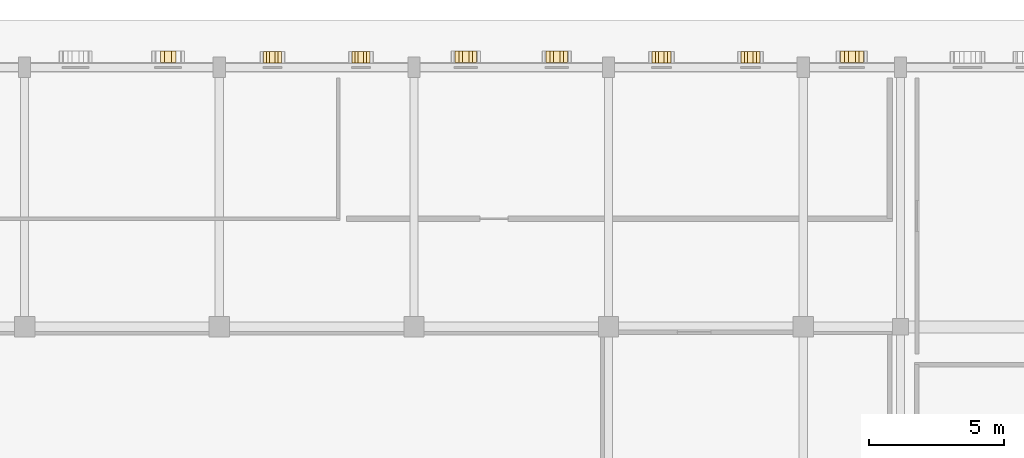
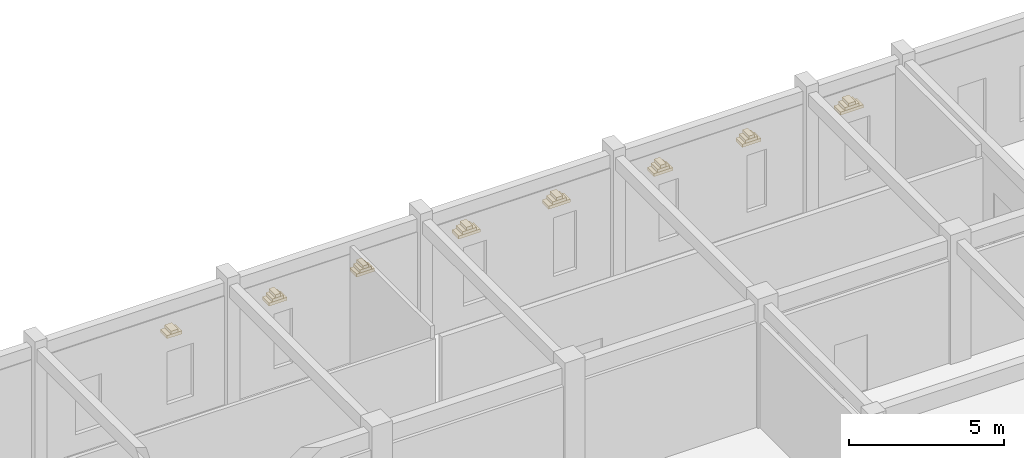
# One storey, part 69 of 72: 23 coverings.
"""IFC4 building model written with IfcOpenShell, lengths in metres."""

from ifc_helpers import new_model, si_unit, direction, frame, origin, origin_2d, place, context, subcontext, project, spatial, rectangle, extrude, material, layer, layer_set, type_object, element, save


model = new_model("IFC4")

# Units and contexts
model_context = context("Model", 3, precision=1e-05, world=origin(), true_north=direction((0.0, 1.0)))
body_context = subcontext(model_context, "Body", "Model", "MODEL_VIEW")
ifc_project = project(units=[si_unit("LENGTHUNIT", "METRE"), si_unit("AREAUNIT", "SQUARE_METRE"), si_unit("VOLUMEUNIT", "CUBIC_METRE"), si_unit("PLANEANGLEUNIT", "RADIAN"), si_unit("MASSUNIT", "GRAM", prefix="KILO")], contexts=[model_context])

# Site, building, storey
site_placement = place(None, origin())
site = spatial("IfcSite", under=ifc_project, at=site_placement, CompositionType="ELEMENT")
building_placement = place(site_placement, origin())
building = spatial("IfcBuilding", under=site, at=building_placement, Name="Nzembalo Square Collegiate School", CompositionType="ELEMENT")
storey_placement = place(building_placement, origin())
storey = spatial("IfcBuildingStorey", under=building, at=storey_placement, Name="L00", CompositionType="ELEMENT", Elevation=0.0)

# Coverings
ifc_material = material(Name="Glazed celadon ceramic window frame")
ifc_layer = layer(ifc_material, 0.419921875, Name="Glazed celadon ceramic window frame")
ifc_layer_set = layer_set([ifc_layer], Name="Glazed celadon ceramic window frame")
covering_type = type_object("IfcCoveringType", Name="WF01", PredefinedType="CLADDING", material=ifc_layer_set)
covering_1_placement = place(storey_placement, frame((103.71142578125, 114.385009765625, 3.06005859375), z_axis=(0.0, 0.0, 1.0), x_axis=(1.0, 0.0, 0.0)))
element("IfcCovering", 1, at=covering_1_placement, inside=storey, type_object=covering_type, Name="Pointed lancet gable WF01-0115-2", PredefinedType="CLADDING", context=body_context, shape_type="SweptSolid", body=[
    extrude(rectangle(XDim=0.56591796875, YDim=0.419921875, at=origin_2d()), origin(), (0.0, 0.0, 1.0), 0.1201171875),
])
covering_2_placement = place(storey_placement, frame((103.71142578125, 114.385009765625, 3.179931640625), z_axis=(0.0, 0.0, 1.0), x_axis=(1.0, 0.0, 0.0)))
element("IfcCovering", 2, at=covering_2_placement, inside=storey, type_object=covering_type, Name="Pointed lancet gable WF01-0115-3", PredefinedType="CLADDING", context=body_context, shape_type="SweptSolid", body=[
    extrude(rectangle(XDim=0.260009765625, YDim=0.419921875, at=origin_2d()), origin(), (0.0, 0.0, 1.0), 0.1201171875),
])
covering_3_placement = place(storey_placement, frame((107.5634765625, 114.375, 3.02001953125), z_axis=(0.0, 0.0, 1.0), x_axis=(1.0, 0.0, 0.0)))
element("IfcCovering", 3, at=covering_3_placement, inside=storey, type_object=covering_type, Name="Pointed lancet gable WF01-0132-1", PredefinedType="CLADDING", context=body_context, shape_type="SweptSolid", body=[
    extrude(rectangle(XDim=0.6689453125, YDim=0.419921875, at=origin_2d()), origin(), (0.0, 0.0, 1.0), 0.1201171875),
])
covering_4_placement = place(storey_placement, frame((107.5634765625, 114.375, 3.139892578125), z_axis=(0.0, 0.0, 1.0), x_axis=(1.0, 0.0, 0.0)))
element("IfcCovering", 4, at=covering_4_placement, inside=storey, type_object=covering_type, Name="Pointed lancet gable WF01-0132-2", PredefinedType="CLADDING", context=body_context, shape_type="SweptSolid", body=[
    extrude(rectangle(XDim=0.422119140625, YDim=0.419921875, at=origin_2d()), origin(), (0.0, 0.0, 1.0), 0.1201171875),
])
covering_5_placement = place(storey_placement, frame((107.5634765625, 114.375, 3.260009765625), z_axis=(0.0, 0.0, 1.0), x_axis=(1.0, 0.0, 0.0)))
element("IfcCovering", 5, at=covering_5_placement, inside=storey, type_object=covering_type, Name="Pointed lancet gable WF01-0132-3", PredefinedType="CLADDING", context=body_context, shape_type="SweptSolid", body=[
    extrude(rectangle(XDim=0.194091796875, YDim=0.419921875, at=origin_2d()), origin(), (0.0, 0.0, 1.0), 0.1201171875),
])
covering_6_placement = place(storey_placement, frame((110.83642578125, 114.375, 3.02001953125), z_axis=(0.0, 0.0, 1.0), x_axis=(1.0, 0.0, 0.0)))
element("IfcCovering", 6, at=covering_6_placement, inside=storey, type_object=covering_type, Name="Pointed lancet gable WF01-0133-1", PredefinedType="CLADDING", context=body_context, shape_type="SweptSolid", body=[
    extrude(rectangle(XDim=0.6689453125, YDim=0.419921875, at=origin_2d()), origin(), (0.0, 0.0, 1.0), 0.1201171875),
])
covering_7_placement = place(storey_placement, frame((110.83642578125, 114.375, 3.139892578125), z_axis=(0.0, 0.0, 1.0), x_axis=(1.0, 0.0, 0.0)))
element("IfcCovering", 7, at=covering_7_placement, inside=storey, type_object=covering_type, Name="Pointed lancet gable WF01-0133-2", PredefinedType="CLADDING", context=body_context, shape_type="SweptSolid", body=[
    extrude(rectangle(XDim=0.422119140625, YDim=0.419921875, at=origin_2d()), origin(), (0.0, 0.0, 1.0), 0.1201171875),
])
covering_8_placement = place(storey_placement, frame((110.83642578125, 114.375, 3.260009765625), z_axis=(0.0, 0.0, 1.0), x_axis=(1.0, 0.0, 0.0)))
element("IfcCovering", 8, at=covering_8_placement, inside=storey, type_object=covering_type, Name="Pointed lancet gable WF01-0133-3", PredefinedType="CLADDING", context=body_context, shape_type="SweptSolid", body=[
    extrude(rectangle(XDim=0.194091796875, YDim=0.419921875, at=origin_2d()), origin(), (0.0, 0.0, 1.0), 0.1201171875),
])
covering_9_placement = place(storey_placement, frame((114.718505859375, 114.385009765625, 3.179931640625), z_axis=(0.0, 0.0, 1.0), x_axis=(1.0, 0.0, 0.0)))
element("IfcCovering", 9, at=covering_9_placement, inside=storey, type_object=covering_type, Name="Pointed lancet gable WF01-0134-1", PredefinedType="CLADDING", context=body_context, shape_type="SweptSolid", body=[
    extrude(rectangle(XDim=0.805908203125, YDim=0.419921875, at=origin_2d()), origin(), (0.0, 0.0, 1.0), 0.1201171875),
])
covering_10_placement = place(storey_placement, frame((114.718505859375, 114.385009765625, 3.300048828125), z_axis=(0.0, 0.0, 1.0), x_axis=(1.0, 0.0, 0.0)))
element("IfcCovering", 10, at=covering_10_placement, inside=storey, type_object=covering_type, Name="Pointed lancet gable WF01-0134-2", PredefinedType="CLADDING", context=body_context, shape_type="SweptSolid", body=[
    extrude(rectangle(XDim=0.509033203125, YDim=0.419921875, at=origin_2d()), origin(), (0.0, 0.0, 1.0), 0.1201171875),
])
covering_11_placement = place(storey_placement, frame((114.718505859375, 114.385009765625, 3.419921875), z_axis=(0.0, 0.0, 1.0), x_axis=(1.0, 0.0, 0.0)))
element("IfcCovering", 11, at=covering_11_placement, inside=storey, type_object=covering_type, Name="Pointed lancet gable WF01-0134-3", PredefinedType="CLADDING", context=body_context, shape_type="SweptSolid", body=[
    extrude(rectangle(XDim=0.23291015625, YDim=0.419921875, at=origin_2d()), origin(), (0.0, 0.0, 1.0), 0.1201171875),
])
covering_12_placement = place(storey_placement, frame((118.08154296875, 114.385009765625, 3.179931640625), z_axis=(0.0, 0.0, 1.0), x_axis=(1.0, 0.0, 0.0)))
element("IfcCovering", 12, at=covering_12_placement, inside=storey, type_object=covering_type, Name="Pointed lancet gable WF01-0135-1", PredefinedType="CLADDING", context=body_context, shape_type="SweptSolid", body=[
    extrude(rectangle(XDim=0.805908203125, YDim=0.419921875, at=origin_2d()), origin(), (0.0, 0.0, 1.0), 0.1201171875),
])
covering_13_placement = place(storey_placement, frame((118.08154296875, 114.385009765625, 3.300048828125), z_axis=(0.0, 0.0, 1.0), x_axis=(1.0, 0.0, 0.0)))
element("IfcCovering", 13, at=covering_13_placement, inside=storey, type_object=covering_type, Name="Pointed lancet gable WF01-0135-2", PredefinedType="CLADDING", context=body_context, shape_type="SweptSolid", body=[
    extrude(rectangle(XDim=0.509033203125, YDim=0.419921875, at=origin_2d()), origin(), (0.0, 0.0, 1.0), 0.1201171875),
])
covering_14_placement = place(storey_placement, frame((118.08154296875, 114.385009765625, 3.419921875), z_axis=(0.0, 0.0, 1.0), x_axis=(1.0, 0.0, 0.0)))
element("IfcCovering", 14, at=covering_14_placement, inside=storey, type_object=covering_type, Name="Pointed lancet gable WF01-0135-3", PredefinedType="CLADDING", context=body_context, shape_type="SweptSolid", body=[
    extrude(rectangle(XDim=0.23291015625, YDim=0.419921875, at=origin_2d()), origin(), (0.0, 0.0, 1.0), 0.1201171875),
])
covering_15_placement = place(storey_placement, frame((121.95361328125, 114.375, 3.099853515625), z_axis=(0.0, 0.0, 1.0), x_axis=(1.0, 0.0, 0.0)))
element("IfcCovering", 15, at=covering_15_placement, inside=storey, type_object=covering_type, Name="Pointed lancet gable WF01-0140-1", PredefinedType="CLADDING", context=body_context, shape_type="SweptSolid", body=[
    extrude(rectangle(XDim=0.698974609375, YDim=0.419921875, at=origin_2d()), origin(), (0.0, 0.0, 1.0), 0.1201171875),
])
covering_16_placement = place(storey_placement, frame((121.95361328125, 114.375, 3.219970703125), z_axis=(0.0, 0.0, 1.0), x_axis=(1.0, 0.0, 0.0)))
element("IfcCovering", 16, at=covering_16_placement, inside=storey, type_object=covering_type, Name="Pointed lancet gable WF01-0140-2", PredefinedType="CLADDING", context=body_context, shape_type="SweptSolid", body=[
    extrude(rectangle(XDim=0.44189453125, YDim=0.419921875, at=origin_2d()), origin(), (0.0, 0.0, 1.0), 0.1201171875),
])
covering_17_placement = place(storey_placement, frame((121.95361328125, 114.375, 3.33984375), z_axis=(0.0, 0.0, 1.0), x_axis=(1.0, 0.0, 0.0)))
element("IfcCovering", 17, at=covering_17_placement, inside=storey, type_object=covering_type, Name="Pointed lancet gable WF01-0140-3", PredefinedType="CLADDING", context=body_context, shape_type="SweptSolid", body=[
    extrude(rectangle(XDim=0.201904296875, YDim=0.419921875, at=origin_2d()), origin(), (0.0, 0.0, 1.0), 0.1201171875),
])
covering_18_placement = place(storey_placement, frame((125.24658203125, 114.375, 3.099853515625), z_axis=(0.0, 0.0, 1.0), x_axis=(1.0, 0.0, 0.0)))
element("IfcCovering", 18, at=covering_18_placement, inside=storey, type_object=covering_type, Name="Pointed lancet gable WF01-0141-1", PredefinedType="CLADDING", context=body_context, shape_type="SweptSolid", body=[
    extrude(rectangle(XDim=0.698974609375, YDim=0.419921875, at=origin_2d()), origin(), (0.0, 0.0, 1.0), 0.1201171875),
])
covering_19_placement = place(storey_placement, frame((125.24658203125, 114.375, 3.219970703125), z_axis=(0.0, 0.0, 1.0), x_axis=(1.0, 0.0, 0.0)))
element("IfcCovering", 19, at=covering_19_placement, inside=storey, type_object=covering_type, Name="Pointed lancet gable WF01-0141-2", PredefinedType="CLADDING", context=body_context, shape_type="SweptSolid", body=[
    extrude(rectangle(XDim=0.44189453125, YDim=0.419921875, at=origin_2d()), origin(), (0.0, 0.0, 1.0), 0.1201171875),
])
covering_20_placement = place(storey_placement, frame((125.24658203125, 114.375, 3.33984375), z_axis=(0.0, 0.0, 1.0), x_axis=(1.0, 0.0, 0.0)))
element("IfcCovering", 20, at=covering_20_placement, inside=storey, type_object=covering_type, Name="Pointed lancet gable WF01-0141-3", PredefinedType="CLADDING", context=body_context, shape_type="SweptSolid", body=[
    extrude(rectangle(XDim=0.201904296875, YDim=0.419921875, at=origin_2d()), origin(), (0.0, 0.0, 1.0), 0.1201171875),
])
covering_21_placement = place(storey_placement, frame((129.0, 114.385009765625, 3.079833984375), z_axis=(0.0, 0.0, 1.0), x_axis=(1.0, 0.0, 0.0)))
element("IfcCovering", 21, at=covering_21_placement, inside=storey, type_object=covering_type, Name="Pointed lancet gable WF01-0142-1", PredefinedType="CLADDING", context=body_context, shape_type="SweptSolid", body=[
    extrude(rectangle(XDim=0.85107421875, YDim=0.419921875, at=origin_2d()), origin(), (0.0, 0.0, 1.0), 0.1201171875),
])
covering_22_placement = place(storey_placement, frame((129.0, 114.385009765625, 3.199951171875), z_axis=(0.0, 0.0, 1.0), x_axis=(1.0, 0.0, 0.0)))
element("IfcCovering", 22, at=covering_22_placement, inside=storey, type_object=covering_type, Name="Pointed lancet gable WF01-0142-2", PredefinedType="CLADDING", context=body_context, shape_type="SweptSolid", body=[
    extrude(rectangle(XDim=0.5380859375, YDim=0.419921875, at=origin_2d()), origin(), (0.0, 0.0, 1.0), 0.1201171875),
])
covering_23_placement = place(storey_placement, frame((129.0, 114.385009765625, 3.31982421875), z_axis=(0.0, 0.0, 1.0), x_axis=(1.0, 0.0, 0.0)))
element("IfcCovering", 23, at=covering_23_placement, inside=storey, type_object=covering_type, Name="Pointed lancet gable WF01-0142-3", PredefinedType="CLADDING", context=body_context, shape_type="SweptSolid", body=[
    extrude(rectangle(XDim=0.24609375, YDim=0.419921875, at=origin_2d()), origin(), (0.0, 0.0, 1.0), 0.1201171875),
])

save(model, "model.ifc")
